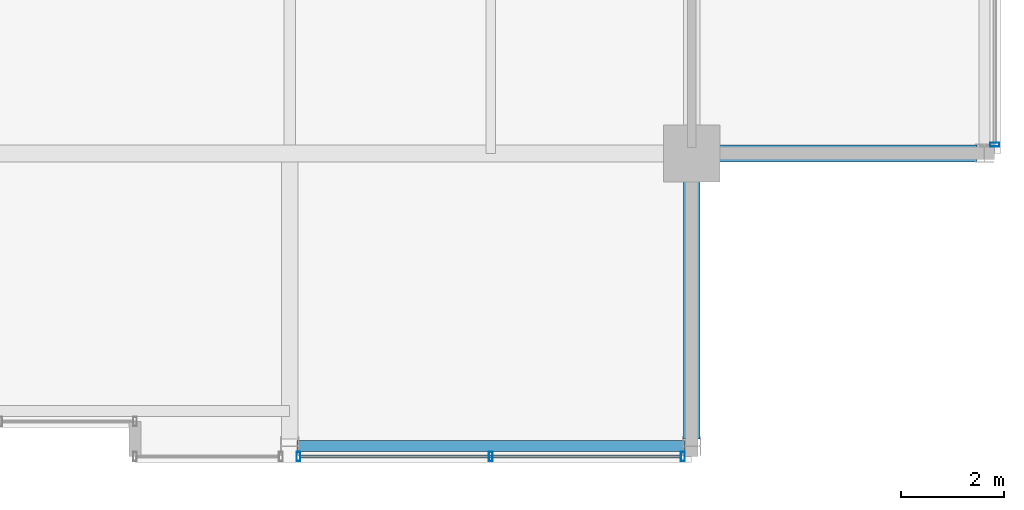
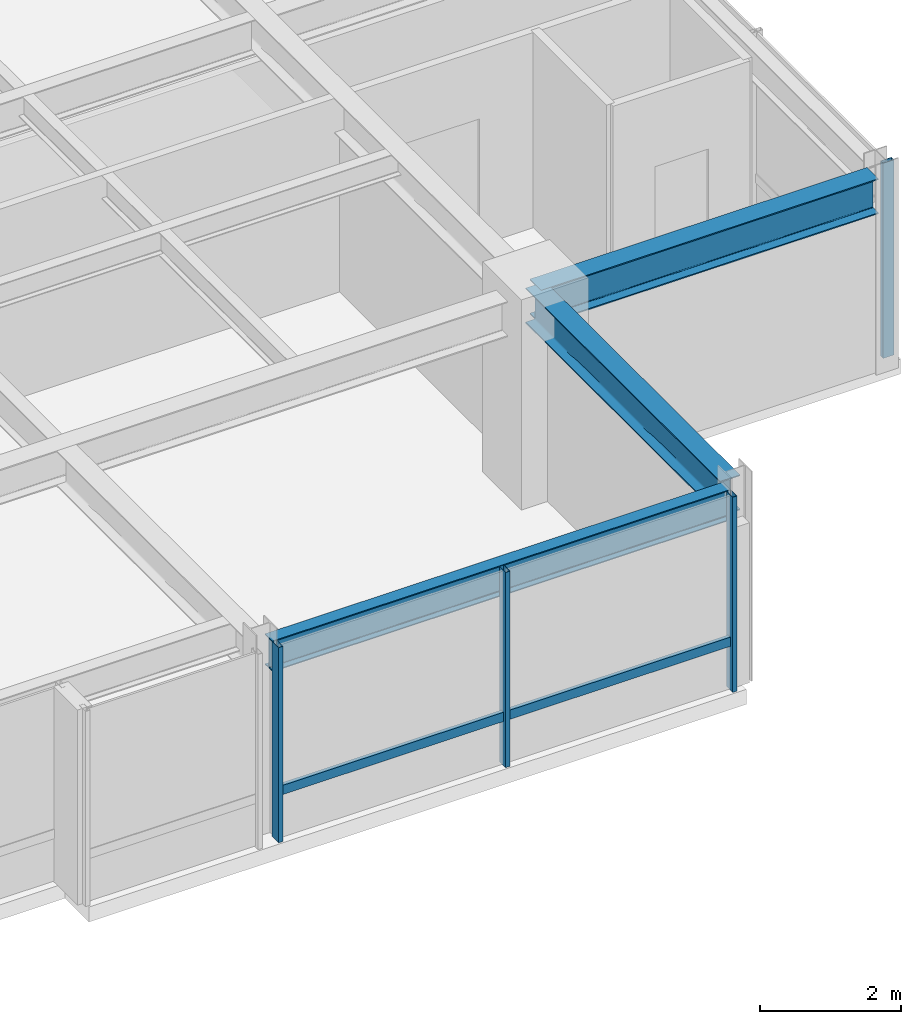
# One storey, part 15 of 33: 5 members, 3 beams, 2 elements without a shape of their own.
"""IFC4 building model written with IfcOpenShell, lengths in metres."""

from ifc_helpers import new_model, si_unit, direction, frame, origin, origin_2d, place, context, subcontext, project, spatial, hollow_rectangle, i_section, extrude, material, layer, layer_set, material_profile, profile_set, type_object, element, aggregate, save


model = new_model("IFC4")

# Units and contexts
model_context = context("Model", 3, precision=1e-05, world=origin(), true_north=direction((0.0, 1.0)))
body_context = subcontext(model_context, "Body", "Model", "MODEL_VIEW")
ifc_project = project(units=[si_unit("LENGTHUNIT", "METRE"), si_unit("AREAUNIT", "SQUARE_METRE"), si_unit("VOLUMEUNIT", "CUBIC_METRE"), si_unit("PLANEANGLEUNIT", "RADIAN"), si_unit("MASSUNIT", "GRAM", prefix="KILO")], contexts=[model_context])

# Site, building, storey
site_placement = place(None, origin())
site = spatial("IfcSite", under=ifc_project, at=site_placement, CompositionType="ELEMENT")
building_placement = place(site_placement, origin())
building = spatial("IfcBuilding", under=site, at=building_placement, Name="Drelvath Grand Hotel", CompositionType="ELEMENT")
storey_placement = place(building_placement, frame((0.0, 0.0, 283.25)))
storey = spatial("IfcBuildingStorey", under=building, at=storey_placement, Name="L74", CompositionType="ELEMENT", Elevation=283.25)

# Curtain wall, member
ifc_material_1 = material(Name="Platinum-Mist Anodised Aluminium Frame", Category="aluminium")
ifc_layer = layer(ifc_material_1, 0.199951171875)
ifc_layer_set = layer_set([ifc_layer], Name="Platinum-Mist Anodised Aluminium Frame")
curtain_wall_type = type_object("IfcCurtainWallType", Name="Stick Curtain Wall CW-05 Platinum Mist High-Rise", PredefinedType="NOTDEFINED", material=ifc_layer_set)
curtain_wall_1_placement = place(storey_placement, origin())
curtain_wall_1 = element("IfcCurtainWall", 1, at=curtain_wall_1_placement, inside=storey, type_object=curtain_wall_type, Name="L74 CW-05 Curtain Wall CW05-L74-SE2", PredefinedType="NOTDEFINED")
ifc_material_profile_1 = material_profile(ifc_material_1, hollow_rectangle(XDim=0.06494140625, YDim=0.159912109375, WallThickness=0.00390625, at=origin_2d()), Name="HSS160X65X4")
ifc_profile_set_1 = profile_set([ifc_material_profile_1], Name="Platinum-Mist Anodised Aluminium Frame")
member_type_1 = type_object("IfcMemberType", Name="Curtain Wall Horizontal Transom CW-05 HSS160X65X4", PredefinedType="USERDEFINED", material=ifc_profile_set_1)
member_1_placement = place(storey_placement, frame((15.989990234375, 4.919921875, 0.847412109375), z_axis=(-1.0, 0.0, 0.0), x_axis=(0.0, -1.0, 0.0)))
member_1 = element("IfcMember", 2, at=member_1_placement, type_object=member_type_1, Name="CW05-L74-SE2 Sill Transom", ObjectType="TRANSOM", PredefinedType="USERDEFINED", context=body_context, shape_type="SweptSolid", body=[
    extrude(hollow_rectangle(XDim=0.06494140625, YDim=0.159912109375, WallThickness=0.00390625, at=origin_2d()), origin(), (0.0, 0.0, 1.0), 7.3798828125),
])

curtain_wall_2_placement = place(storey_placement, origin())
curtain_wall_2 = element("IfcCurtainWall", 3, at=curtain_wall_2_placement, inside=storey, type_object=curtain_wall_type, Name="L74 CW-05 Curtain Wall CW05-L74-ES1", PredefinedType="NOTDEFINED")
ifc_material_profile_2 = material_profile(ifc_material_1, hollow_rectangle(XDim=0.074951171875, YDim=0.179931640625, WallThickness=0.0048828125, at=origin_2d()), Name="HSS180X75X5")
ifc_profile_set_2 = profile_set([ifc_material_profile_2], Name="Platinum-Mist Anodised Aluminium Frame")
member_type_2 = type_object("IfcMemberType", Name="Curtain Wall Vertical Mullion CW-05 HSS180X75X5", PredefinedType="MULLION", material=ifc_profile_set_2)
member_2_placement = place(storey_placement, frame((22.080078125, 10.97021484375, 0.0), z_axis=(0.0, 0.0, 1.0), x_axis=(0.0, 1.0, 0.0)))
member_2 = element("IfcMember", 4, at=member_2_placement, type_object=member_type_2, Name="CW05-L74-ES1 Mullion 3", PredefinedType="MULLION", context=body_context, shape_type="SweptSolid", body=[
    extrude(hollow_rectangle(XDim=0.074951171875, YDim=0.179931640625, WallThickness=0.0048828125, at=origin_2d()), origin(), (0.0, 0.0, 1.0), 3.389892578125),
])
aggregate(curtain_wall_2, [member_2])

# Member
member_3_placement = place(storey_placement, frame((16.02978515625, 4.919921875, 0.0), z_axis=(0.0, 0.0, 1.0), x_axis=(1.0, 0.0, 0.0)))
member_3 = element("IfcMember", 5, at=member_3_placement, type_object=member_type_2, Name="CW05-L74-SE2 Mullion 1", PredefinedType="MULLION", context=body_context, shape_type="SweptSolid", body=[
    extrude(hollow_rectangle(XDim=0.074951171875, YDim=0.179931640625, WallThickness=0.0048828125, at=origin_2d()), origin(), (0.0, 0.0, 1.0), 3.389892578125),
])

member_4_placement = place(storey_placement, frame((12.300048828125, 4.919921875, 0.0), z_axis=(0.0, 0.0, 1.0), x_axis=(1.0, 0.0, 0.0)))
member_4 = element("IfcMember", 6, at=member_4_placement, type_object=member_type_2, Name="CW05-L74-SE2 Mullion 2", PredefinedType="MULLION", context=body_context, shape_type="SweptSolid", body=[
    extrude(hollow_rectangle(XDim=0.074951171875, YDim=0.179931640625, WallThickness=0.0048828125, at=origin_2d()), origin(), (0.0, 0.0, 1.0), 3.389892578125),
])

member_5_placement = place(storey_placement, frame((8.570068359375, 4.919921875, 0.0), z_axis=(0.0, 0.0, 1.0), x_axis=(1.0, 0.0, 0.0)))
member_5 = element("IfcMember", 7, at=member_5_placement, type_object=member_type_2, Name="CW05-L74-SE2 Mullion 3", PredefinedType="MULLION", context=body_context, shape_type="SweptSolid", body=[
    extrude(hollow_rectangle(XDim=0.074951171875, YDim=0.179931640625, WallThickness=0.0048828125, at=origin_2d()), origin(), (0.0, 0.0, 1.0), 3.389892578125),
])

aggregate(curtain_wall_1, [member_3, member_4, member_5, member_1])

# Beams
ifc_material_2 = material(Name="Steel ASTM A992 Gr 50", Category="steel")
ifc_material_profile_3 = material_profile(ifc_material_2, i_section(OverallWidth=0.210205078125, OverallDepth=0.53662109375, WebThickness=0.010986328125, FlangeThickness=0.017333984375, FilletRadius=0.01806640625, at=origin_2d()), Name="W21X68")
ifc_profile_set_3 = profile_set([ifc_material_profile_3], Name="Steel ASTM A992 Gr 50")
beam_type_1 = type_object("IfcBeamType", Name="Perimeter Spandrel Beam W21X68", PredefinedType="SPANDREL", material=ifc_profile_set_3)
beam_placement = place(storey_placement, frame((8.5400390625, 5.1201171875, 3.12158203125), z_axis=(1.0, 0.0, 0.0), x_axis=(0.0, 1.0, 0.0)))
element("IfcBeam", 8, at=beam_placement, inside=storey, type_object=beam_type_1, Name="L74 Spandrel South E", PredefinedType="SPANDREL", context=body_context, shape_type="SweptSolid", body=[
    extrude(i_section(OverallWidth=0.210205078125, OverallDepth=0.53662109375, WebThickness=0.010986328125, FlangeThickness=0.017333984375, FilletRadius=0.01806640625, at=origin_2d()), origin(), (0.0, 0.0, 1.0), 7.52001953125),
])
ifc_material_profile_4 = material_profile(ifc_material_2, i_section(OverallWidth=0.323974609375, OverallDepth=0.611083984375, WebThickness=0.0126953125, FlangeThickness=0.01904296875, FilletRadius=0.02197265625, at=origin_2d()), Name="W24X104")
ifc_profile_set_4 = profile_set([ifc_material_profile_4], Name="Steel ASTM A992 Gr 50")
beam_type_2 = type_object("IfcBeamType", Name="Primary Floor Girder W24X104", PredefinedType="BEAM", material=ifc_profile_set_4)
for number, where, z_axis, x_axis, name in (
    (9, (16.199951171875, 10.800048828125, 3.08447265625), (1.0, 0.0, 0.0), (0.0, 1.0, 0.0), "L74 East Grid Girder C"),
    (10, (16.199951171875, 5.260009765625, 3.08447265625), (0.0, 1.0, 0.0), (-1.0, 0.0, 0.0), "L74 South Grid Girder 7"),
):
    element("IfcBeam", number, at=place(storey_placement, frame(where, z_axis=z_axis, x_axis=x_axis)), inside=storey, type_object=beam_type_2, Name=name, PredefinedType="BEAM", context=body_context, shape_type="SweptSolid", body=[
        extrude(i_section(OverallWidth=0.323974609375, OverallDepth=0.611083984375, WebThickness=0.0126953125, FlangeThickness=0.01904296875, FilletRadius=0.02197265625, at=origin_2d()), origin(), (0.0, 0.0, 1.0), 5.5400390625),
    ])

save(model, "model.ifc")
